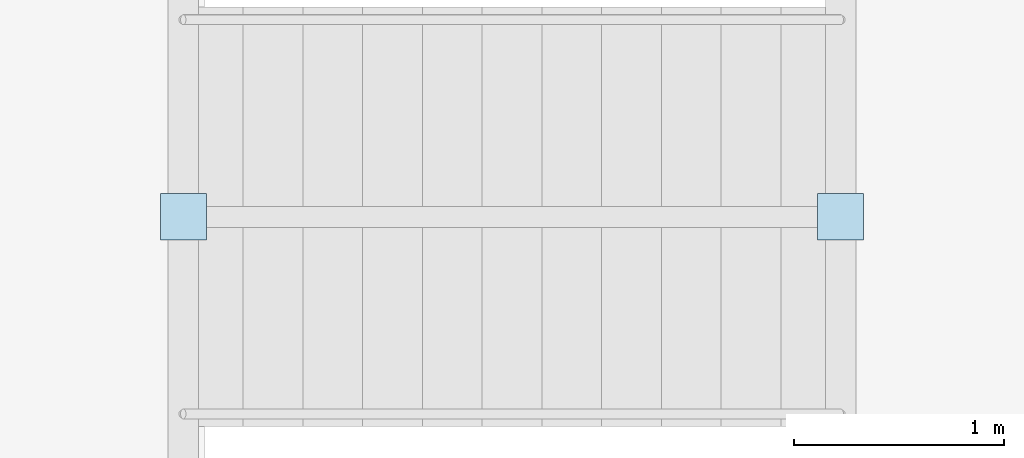
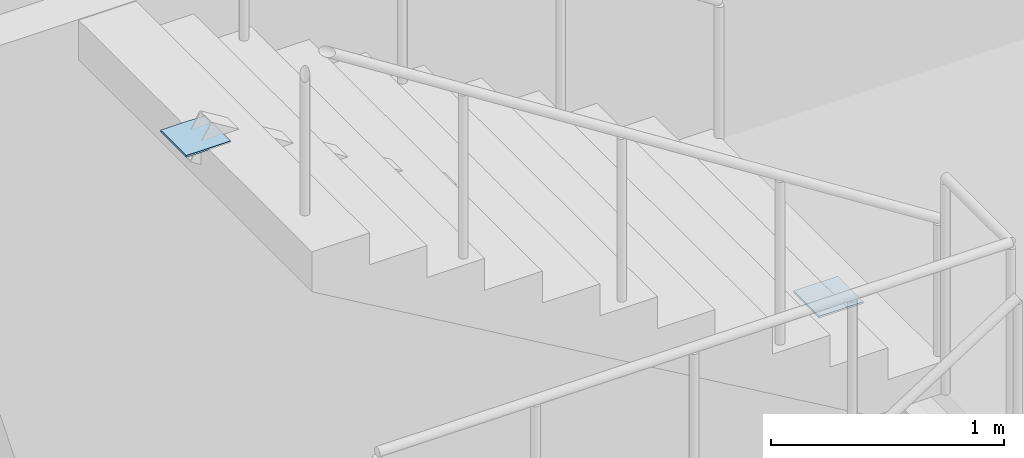
# One storey, part 63 of 76: 2 plates.
"""IFC4 building model written with IfcOpenShell, lengths in metres."""

from ifc_helpers import new_model, si_unit, direction, frame, origin, origin_2d, place, context, subcontext, project, spatial, rectangle, extrude, material, layer, layer_set, type_object, element, save


model = new_model("IFC4")

# Units and contexts
model_context = context("Model", 3, precision=1e-05, world=origin(), true_north=direction((0.0, 1.0)))
body_context = subcontext(model_context, "Body", "Model", "MODEL_VIEW")
ifc_project = project(units=[si_unit("LENGTHUNIT", "METRE"), si_unit("AREAUNIT", "SQUARE_METRE"), si_unit("VOLUMEUNIT", "CUBIC_METRE"), si_unit("PLANEANGLEUNIT", "RADIAN"), si_unit("MASSUNIT", "GRAM", prefix="KILO")], contexts=[model_context])

# Site, building, storey
site_placement = place(None, origin())
site = spatial("IfcSite", under=ifc_project, at=site_placement, CompositionType="ELEMENT")
building_placement = place(site_placement, origin())
building = spatial("IfcBuilding", under=site, at=building_placement, Name="Marnridge Secondary College", CompositionType="ELEMENT")
storey_placement = place(building_placement, frame((0.0, 0.0, 4.5)))
storey = spatial("IfcBuildingStorey", under=building, at=storey_placement, Name="L01", CompositionType="ELEMENT", Elevation=4.5)

# Plates
ifc_material = material(Name="Structural steel plate Grade 350 (AS/NZS 3678, fy = 350 MPa <=12mm, 340 MPa 12-20mm, 330 MPa 20-50mm)", Category="steel")
ifc_layer = layer(ifc_material, 0.010009765625)
ifc_layer_set = layer_set([ifc_layer], Name="PT-CAP-INT")
plate_type = type_object("IfcPlateType", Name="PT-CAP-INT", PredefinedType="SHEET", material=ifc_layer_set)
for number, where, z_axis, x_axis, name in (
    (1, (86.583251953125, 65.030029296875, 1.88818359375), (0.0, 0.0, 1.0), (-1.0, 0.0, 0.0), "Tube end cap STR-014-EC1"),
    (2, (83.45166015625, 65.030029296875, 3.82568359375), (0.0, 0.0, 1.0), (-1.0, 0.0, 0.0), "Tube end cap STR-014-EC2"),
):
    element("IfcPlate", number, at=place(storey_placement, frame(where, z_axis=z_axis, x_axis=x_axis)), inside=storey, type_object=plate_type, Name=name, PredefinedType="SHEET", context=body_context, shape_type="SweptSolid", body=[
        extrude(rectangle(XDim=0.219970703125, YDim=0.219970703125, at=origin_2d()), origin(), (0.0, 0.0, 1.0), 0.010009765625),
    ])

save(model, "model.ifc")
